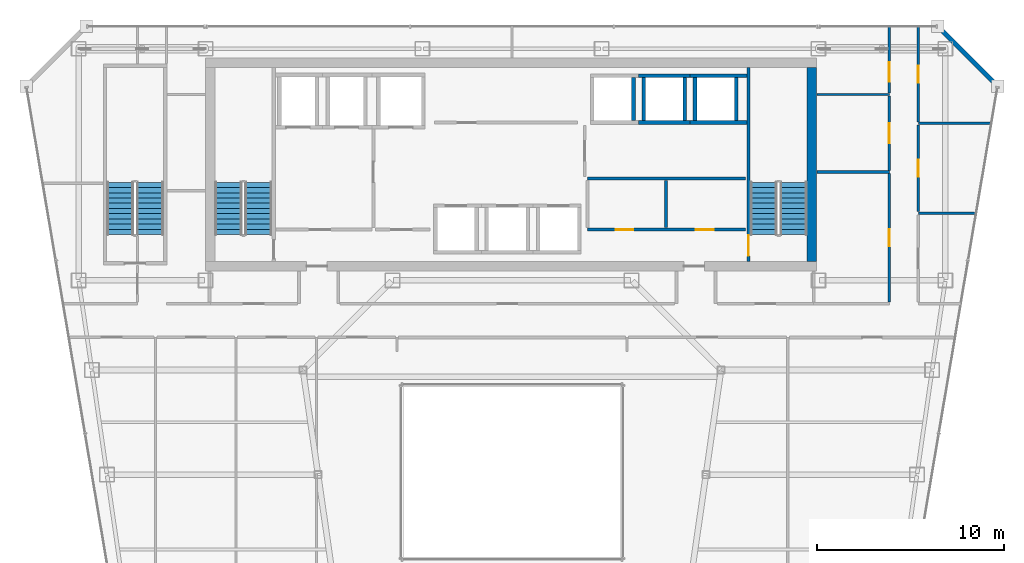
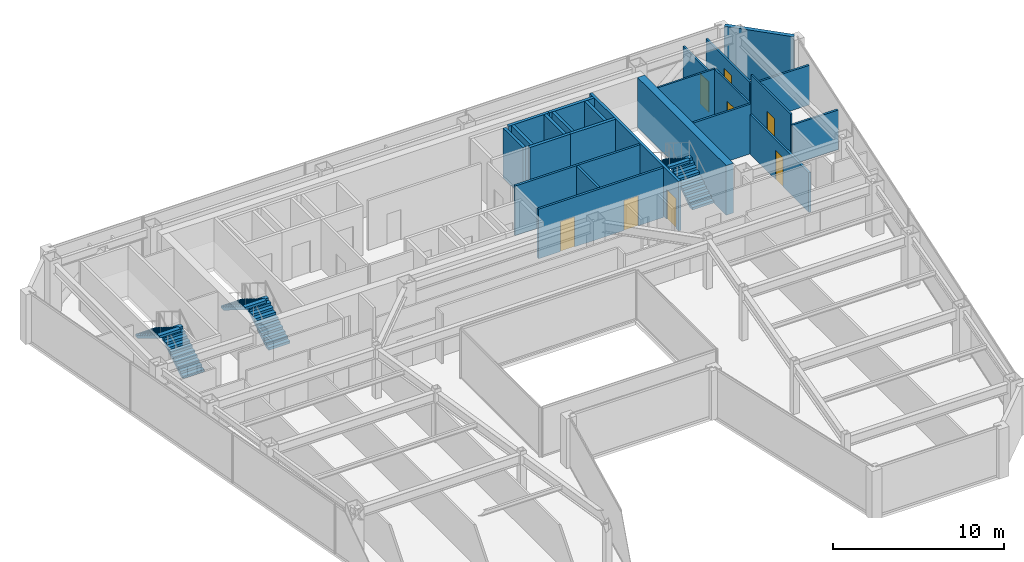
# One storey, part 32 of 35: 24 walls, 8 doors, 6 stair flights, 8 openings, 3 elements without a shape of their own.
"""IFC4 building model written with IfcOpenShell, lengths in metres."""

import ifcopenshell
import ifcopenshell.guid

model = None  # the IFC model being written
_history = None  # IfcOwnerHistory: only IFC2X3 demands one
_inside = {}  # id of a spatial element -> (the spatial element, [elements in it])
_under = {}  # id of a project, library or spatial element -> (it, [spatial elements below it])
_declared = {}  # id of a project -> (the project, [libraries it declares])
_typed = {}  # id of a type object -> (the type object, [elements of that type])
_made_of = {}  # id of a material, layer set ... -> (it, [elements and type objects made of it])


def new_model(schema):
    """Start an empty IFC model of exactly this schema.

    Asked for "IFC4X3", IfcOpenShell would pick the latest addendum, in which some entities
    have other attributes; the version numbers below select the first issue.
    IFC2X3 requires an IfcOwnerHistory on every rooted entity: one is made here for all.
    """
    global model, _history
    if schema == "IFC4X3":
        model = ifcopenshell.file(schema_version=(4, 3, 0, 0))
    else:
        model = ifcopenshell.file(schema=schema)
    _inside.clear()
    _under.clear()
    _declared.clear()
    _typed.clear()
    _made_of.clear()
    _history = None
    if model.schema == "IFC2X3":
        org = make("IfcOrganization", Name="unknown")
        user = make(
            "IfcPersonAndOrganization",
            ThePerson=make("IfcPerson", FamilyName="unknown"),
            TheOrganization=org,
        )
        app = make(
            "IfcApplication",
            ApplicationDeveloper=org,
            Version="unknown",
            ApplicationFullName="unknown",
            ApplicationIdentifier="unknown",
        )
        _history = make(
            "IfcOwnerHistory",
            OwningUser=user,
            OwningApplication=app,
            ChangeAction="ADDED",
            CreationDate=0,
        )
    return model


def make(cls, **values):
    """One entity of the class cls with the attributes given. An attribute that is None is left unset."""
    return model.create_entity(
        cls, **{name: value for name, value in values.items() if value is not None}
    )


def rooted(cls, **values):
    """An entity with a GlobalId (a new one), such as an element, a storey or a relation."""
    return make(cls, GlobalId=ifcopenshell.guid.new(), OwnerHistory=_history, **values)


def si_unit(unit_type, name, prefix=None):
    """IfcSIUnit, for example si_unit("LENGTHUNIT", "METRE", prefix="MILLI")."""
    return make("IfcSIUnit", UnitType=unit_type, Prefix=prefix, Name=name)


def assignment(units):
    """IfcUnitAssignment: the units of a project."""
    return None if units is None else make("IfcUnitAssignment", Units=units)


def point(xyz):
    """IfcCartesianPoint."""
    return None if xyz is None else make("IfcCartesianPoint", Coordinates=xyz)


def direction(xyz):
    """IfcDirection."""
    return None if xyz is None else make("IfcDirection", DirectionRatios=xyz)


def frame(location, z_axis=None, x_axis=None):
    """IfcAxis2Placement3D, a coordinate frame: its origin and axes. An axis left out is left unset."""
    return make(
        "IfcAxis2Placement3D",
        Location=point(location),
        Axis=direction(z_axis),
        RefDirection=direction(x_axis),
    )


def frame_2d(location, x_axis=None):
    """IfcAxis2Placement2D, a coordinate frame in the plane: its origin and x axis."""
    return make(
        "IfcAxis2Placement2D", Location=point(location), RefDirection=direction(x_axis)
    )


def origin():
    """The frame at (0, 0, 0) with its axes left unset."""
    return frame((0.0, 0.0, 0.0))


def place(relative_to, where):
    """IfcLocalPlacement: puts the frame where relative to a parent placement (None: the world)."""
    return make(
        "IfcLocalPlacement", PlacementRelTo=relative_to, RelativePlacement=where
    )


def context(
    kind, dimensions, precision=None, world=None, true_north=None, identifier=None
):
    """IfcGeometricRepresentationContext, for example the 3D "Model" context."""
    return make(
        "IfcGeometricRepresentationContext",
        ContextIdentifier=identifier,
        ContextType=kind,
        CoordinateSpaceDimension=dimensions,
        Precision=precision,
        WorldCoordinateSystem=world,
        TrueNorth=true_north,
    )


def subcontext(parent, identifier, kind, view, scale=None):
    """IfcGeometricRepresentationSubContext, for example "Body" below "Model"."""
    return make(
        "IfcGeometricRepresentationSubContext",
        ContextIdentifier=identifier,
        ContextType=kind,
        ParentContext=parent,
        TargetScale=scale,
        TargetView=view,
    )


def project(units=None, contexts=None):
    """IfcProject with its units and contexts."""
    return rooted(
        "IfcProject",
        Name="project",
        RepresentationContexts=contexts,
        UnitsInContext=assignment(units),
    )


def spatial(cls, under=None, at=None, **own):
    """A site, building, storey or space (cls), placed at a placement, below another one or the project."""
    s = rooted(cls, ObjectPlacement=at, **own)
    if under is not None:
        _under.setdefault(under.id(), (under, []))[1].append(s)
    return s


def polyline(points):
    """IfcPolyline through the points."""
    return make("IfcPolyline", Points=[point(p) for p in points])


def profile(cls, at=None, kind="AREA", **sizes):
    """A parametric profile (cls). Its sizes go by their IFC names, for example OverallWidth=200.0."""
    return make(cls, ProfileType=kind, Position=at, **sizes)


def rectangle(**sizes):
    """IfcRectangleProfileDef."""
    return profile("IfcRectangleProfileDef", **sizes)


def outline(outer, holes=None, kind="AREA"):
    """IfcArbitraryClosedProfileDef: a profile drawn as a closed curve; with holes, ...WithVoids."""
    if holes is None:
        return make("IfcArbitraryClosedProfileDef", ProfileType=kind, OuterCurve=outer)
    return make(
        "IfcArbitraryProfileDefWithVoids",
        ProfileType=kind,
        OuterCurve=outer,
        InnerCurves=holes,
    )


def extrude(swept, where, along, depth):
    """IfcExtrudedAreaSolid: the profile swept, set in the frame where, extruded along a direction by depth."""
    return make(
        "IfcExtrudedAreaSolid",
        SweptArea=swept,
        Position=where,
        ExtrudedDirection=direction(along),
        Depth=depth,
    )


def shape(context_of_items, identifier, shape_type, items):
    """IfcShapeRepresentation: the items that make up one representation, for example the "Body"."""
    return make(
        "IfcShapeRepresentation",
        ContextOfItems=context_of_items,
        RepresentationIdentifier=identifier,
        RepresentationType=shape_type,
        Items=items,
    )


def material(Name=None, Category=None):
    """IfcMaterial."""
    return make("IfcMaterial", Name=Name, Category=Category)


def layer(
    of_material, thickness, ventilated=None, Name=None, Category=None, Priority=None
):
    """IfcMaterialLayer: one layer of a wall or slab, of a material (None: an air gap)."""
    return make(
        "IfcMaterialLayer",
        Material=of_material,
        LayerThickness=thickness,
        IsVentilated=ventilated,
        Name=Name,
        Category=Category,
        Priority=Priority,
    )


def layer_set(layers, Name=None):
    """IfcMaterialLayerSet."""
    return make("IfcMaterialLayerSet", MaterialLayers=layers, LayerSetName=Name)


def made_of(thing, what):
    """Note that an element or type object is made of a material, layer set ...; save() writes the relation."""
    if what is not None:
        _made_of.setdefault(what.id(), (what, []))[1].append(thing)
    return thing


def type_object(cls, material=None, **own):
    """A type object (cls), such as IfcWallType, which elements share."""
    return made_of(rooted(cls, **own), material)


def element(
    cls,
    number,
    at=None,
    inside=None,
    cuts=None,
    type_object=None,
    material=None,
    context=None,
    identifier="Body",
    shape_type=None,
    held_by="IfcProductDefinitionShape",
    body=None,
    shapes=None,
    **own,
):
    """One element of the class cls, such as IfcWall. Its Tag is "e" and its number.

    at: its placement. inside: the storey or other place that contains it. cuts: it is an
    opening in that element (IfcRelVoidsElement). A single representation is given by context,
    identifier, shape_type and body (its items); several are given by shapes. held_by: the class
    of the entity that holds the representations. save() writes the other relations.
    """
    e = rooted(cls, Tag="e%d" % number, ObjectPlacement=at, **own)
    if body is not None:
        shapes = [shape(context, identifier, shape_type, body)]
    if shapes is not None:
        e.Representation = make(held_by, Representations=shapes)
    if inside is not None:
        _inside.setdefault(inside.id(), (inside, []))[1].append(e)
    if cuts is not None:
        rooted(
            "IfcRelVoidsElement", RelatingBuildingElement=cuts, RelatedOpeningElement=e
        )
    if type_object is not None:
        _typed.setdefault(type_object.id(), (type_object, []))[1].append(e)
    return made_of(e, material)


def fill(opening, filler):
    """IfcRelFillsElement: the door or window that sits in an opening."""
    return rooted(
        "IfcRelFillsElement",
        RelatingOpeningElement=opening,
        RelatedBuildingElement=filler,
    )


def aggregate(whole, parts):
    """IfcRelAggregates: a whole, such as a stair, and the parts it consists of."""
    return rooted("IfcRelAggregates", RelatingObject=whole, RelatedObjects=parts)


def save(model, path):
    """Write the relations noted so far, then the file.

    IfcRelAggregates (storeys below a building ...), IfcRelContainedInSpatialStructure (elements
    in a storey), IfcRelDefinesByType, IfcRelAssociatesMaterial and IfcRelDeclares: one each for
    every whole, place, type object, material and project.
    """
    for whole, parts in _under.values():
        aggregate(whole, parts)
    for where, things in _inside.values():
        rooted(
            "IfcRelContainedInSpatialStructure",
            RelatedElements=things,
            RelatingStructure=where,
        )
    for kind, things in _typed.values():
        rooted("IfcRelDefinesByType", RelatedObjects=things, RelatingType=kind)
    for what, things in _made_of.values():
        rooted("IfcRelAssociatesMaterial", RelatedObjects=things, RelatingMaterial=what)
    for by, libraries in _declared.values():
        rooted("IfcRelDeclares", RelatingContext=by, RelatedDefinitions=libraries)
    model.write(path)


model = new_model("IFC4")

# Units and contexts
model_context = context("Model", 3, precision=1e-05, world=origin(), true_north=direction((0.0, 1.0)))
body_context = subcontext(model_context, "Body", "Model", "MODEL_VIEW")
ifc_project = project(units=[si_unit("LENGTHUNIT", "METRE"), si_unit("AREAUNIT", "SQUARE_METRE"), si_unit("VOLUMEUNIT", "CUBIC_METRE"), si_unit("PLANEANGLEUNIT", "RADIAN"), si_unit("MASSUNIT", "GRAM", prefix="KILO")], contexts=[model_context])

# Site, building, storey
site_placement = place(None, origin())
site = spatial("IfcSite", under=ifc_project, at=site_placement, CompositionType="ELEMENT")
building_placement = place(site_placement, origin())
building = spatial("IfcBuilding", under=site, at=building_placement, Name="Saevonmaru Cultural Tower", CompositionType="ELEMENT")
storey_placement = place(building_placement, frame((0.0, 0.0, 190.39990234375)))
storey = spatial("IfcBuildingStorey", under=building, at=storey_placement, Name="L43", CompositionType="ELEMENT", Elevation=190.39990234375)

# Wall
ifc_material_1 = material(Name="Concrete C60/75", Category="concrete")
ifc_layer_1 = layer(ifc_material_1, 0.5, Name="Concrete C60/75")
ifc_layer_set_1 = layer_set([ifc_layer_1], Name="Concrete C60/75")
wall_type_1 = type_object("IfcWallType", Name="WL-CORE-500", PredefinedType="SHEAR", material=ifc_layer_set_1)
wall_1_placement = place(storey_placement, frame((46.050048828125, 43.39990234375, 0.0), z_axis=(0.0, 0.0, 1.0), x_axis=(0.0, 1.0, 0.0)))
element("IfcWall", 1, at=wall_1_placement, inside=storey, type_object=wall_type_1, Name="L43 Tower RC core shear wall E", PredefinedType="SHEAR", context=body_context, shape_type="SweptSolid", body=[
    extrude(rectangle(XDim=10.400146484375, YDim=0.5, at=frame_2d((5.2001953125, 0.0))), origin(), (0.0, 0.0, 1.0), 3.550048828125),
])

# Wall, openings, doors
ifc_material_2 = material(Name="Gypsum Fireboard Partition", Category="gypsum")
ifc_layer_2 = layer(ifc_material_2, 0.14990234375, Name="Gypsum Fireboard Partition")
ifc_layer_set_2 = layer_set([ifc_layer_2], Name="Gypsum Fireboard Partition")
wall_type_2 = type_object("IfcWallType", Name="WL-CORE-PART-150", PredefinedType="PARTITIONING", material=ifc_layer_set_2)
wall_2_placement = place(storey_placement, frame((34.050048828125, 45.1201171875, 0.0), z_axis=(0.0, 0.0, 1.0), x_axis=(1.0, 0.0, 0.0)))
wall_2 = element("IfcWall", 2, at=wall_2_placement, inside=storey, type_object=wall_type_2, Name="L43 Core Plant South Wall", PredefinedType="PARTITIONING", context=body_context, shape_type="SweptSolid", body=[
    extrude(rectangle(XDim=8.449951171875, YDim=0.14990234375, at=frame_2d((4.22509765625, 0.0))), origin(), (0.0, 0.0, 1.0), 3.550048828125),
])
opening_1_placement = place(wall_2_placement, frame((1.5, 0.0, 0.0)))
opening_1 = element("IfcOpeningElement", 3, at=opening_1_placement, cuts=wall_2, Name="Opening FD-4", PredefinedType="OPENING", context=body_context, shape_type="SweptSolid", body=[
    extrude(rectangle(XDim=0.949951171875, YDim=2.14990234375, at=frame_2d((0.47509765625, 1.074951171875))), frame((0.0, 0.0849609375, 0.0), z_axis=(0.0, -1.0, 0.0), x_axis=(1.0, 0.0, 0.0)), (0.0, 0.0, 1.0), 0.169921875),
])
opening_2_placement = place(wall_2_placement, frame((5.800048828125, 0.0, 0.0)))
opening_2 = element("IfcOpeningElement", 4, at=opening_2_placement, cuts=wall_2, Name="Opening FD-4", PredefinedType="OPENING", context=body_context, shape_type="SweptSolid", body=[
    extrude(rectangle(XDim=0.949951171875, YDim=2.14990234375, at=frame_2d((0.47509765625, 1.074951171875))), frame((0.0, 0.0849609375, 0.0), z_axis=(0.0, -1.0, 0.0), x_axis=(1.0, 0.0, 0.0)), (0.0, 0.0, 1.0), 0.169921875),
])
ifc_material_3 = material(Name="Satin Bronze Anodised Aluminium", Category="aluminium")
door_type_1 = type_object("IfcDoorType", Name="DR-FD60-950", OperationType="SINGLE_SWING_LEFT", PredefinedType="DOOR", material=ifc_material_3)
door_1_placement = place(opening_1_placement, origin())
door_1 = element("IfcDoor", 5, at=door_1_placement, inside=storey, type_object=door_type_1, Name="L43 Floor AHU Plant Door", OperationType="SINGLE_SWING_LEFT", OverallHeight=2.14990234375, OverallWidth=0.949951171875, PredefinedType="DOOR", context=body_context, shape_type="SweptSolid", body=[
    extrude(rectangle(XDim=0.949951171875, YDim=2.14990234375, at=frame_2d((0.47509765625, 1.074951171875))), frame((0.0, 0.02490234375, 0.0), z_axis=(0.0, -1.0, 0.0), x_axis=(1.0, 0.0, 0.0)), (0.0, 0.0, 1.0), 0.050048828125),
])
fill(opening_1, door_1)
door_2_placement = place(opening_2_placement, origin())
door_2 = element("IfcDoor", 6, at=door_2_placement, inside=storey, type_object=door_type_1, Name="L43 Housekeeping Storage Door", OperationType="SINGLE_SWING_LEFT", OverallHeight=2.14990234375, OverallWidth=0.949951171875, PredefinedType="DOOR", context=body_context, shape_type="SweptSolid", body=[
    extrude(rectangle(XDim=0.949951171875, YDim=2.14990234375, at=frame_2d((0.47509765625, 1.074951171875))), frame((0.0, 0.02490234375, 0.0), z_axis=(0.0, -1.0, 0.0), x_axis=(1.0, 0.0, 0.0)), (0.0, 0.0, 1.0), 0.050048828125),
])
fill(opening_2, door_2)

# Walls
wall_3_placement = place(storey_placement, frame((34.050048828125, 47.85009765625, 0.0), z_axis=(0.0, 0.0, 1.0), x_axis=(1.0, 0.0, 0.0)))
element("IfcWall", 7, at=wall_3_placement, inside=storey, type_object=wall_type_2, Name="L43 Core Plant North Wall", PredefinedType="PARTITIONING", context=body_context, shape_type="SweptSolid", body=[
    extrude(rectangle(XDim=8.449951171875, YDim=0.14990234375, at=frame_2d((4.22509765625, 0.0))), origin(), (0.0, 0.0, 1.0), 3.550048828125),
])
wall_4_placement = place(storey_placement, frame((38.25, 45.219970703125, 0.0), z_axis=(0.0, 0.0, 1.0), x_axis=(0.0, 1.0, 0.0)))
element("IfcWall", 8, at=wall_4_placement, inside=storey, type_object=wall_type_2, Name="L43 Core Plant Split", PredefinedType="PARTITIONING", context=body_context, shape_type="SweptSolid", body=[
    extrude(rectangle(XDim=2.530029296875, YDim=0.14990234375, at=frame_2d((1.26513671875, 0.0))), origin(), (0.0, 0.0, 1.0), 3.550048828125),
])
ifc_material_4 = material(Name="Granite-Clad Precast Concrete C40/50", Category="masonry")
ifc_layer_3 = layer(ifc_material_4, 0.260009765625, Name="Granite-Clad Precast Concrete C40/50")
ifc_layer_set_3 = layer_set([ifc_layer_3], Name="Granite-Clad Precast Concrete C40/50")
wall_type_3 = type_object("IfcWallType", Name="WL-EXT-SPANDREL-260", PredefinedType="STANDARD", material=ifc_layer_set_3)
wall_5_placement = place(storey_placement, frame((55.886962890625, 52.9130859375, 0.0), z_axis=(0.0, 0.0, 1.0), x_axis=(-0.707106781187, 0.707106781187, 0.0)))
element("IfcWall", 9, at=wall_5_placement, inside=storey, type_object=wall_type_3, Name="L43 Chamfer Corner Spandrel Wall E9", PredefinedType="STANDARD", context=body_context, shape_type="SweptSolid", body=[
    extrude(rectangle(XDim=4.205810546875, YDim=0.260009765625, at=frame_2d((2.10302734375, 0.0))), origin(), (0.0, 0.0, 1.0), 3.550048828125),
])
ifc_layer_4 = layer(ifc_material_2, 0.1201171875, Name="Gypsum Fireboard Partition")
ifc_layer_set_4 = layer_set([ifc_layer_4], Name="Gypsum Fireboard Partition")
wall_type_4 = type_object("IfcWallType", Name="WL-PART-GYP-120", PredefinedType="PARTITIONING", material=ifc_layer_set_4)
wall_6_placement = place(storey_placement, frame((46.320068359375, 52.35009765625, 0.0), z_axis=(0.0, 0.0, 1.0), x_axis=(1.0, 0.0, 0.0)))
element("IfcWall", 10, at=wall_6_placement, inside=storey, type_object=wall_type_4, Name="L43 North-East Panorama South Wall", PredefinedType="PARTITIONING", context=body_context, shape_type="SweptSolid", body=[
    extrude(rectangle(XDim=3.8798828125, YDim=0.1201171875, at=frame_2d((1.93994140625, 0.0))), origin(), (0.0, 0.0, 1.0), 3.550048828125),
])

# Wall, opening, door
wall_7_placement = place(storey_placement, frame((50.199951171875, 48.2900390625, 0.0), z_axis=(0.0, 0.0, 1.0), x_axis=(0.0, 1.0, 0.0)))
wall_7 = element("IfcWall", 11, at=wall_7_placement, inside=storey, type_object=wall_type_4, Name="L43 Rare Manuscript Reading Room Corridor Wall", PredefinedType="PARTITIONING", context=body_context, shape_type="SweptSolid", body=[
    extrude(rectangle(XDim=3.97998046875, YDim=0.1201171875, at=frame_2d((1.989990234375, 0.0))), origin(), (0.0, 0.0, 1.0), 3.550048828125),
])
opening_3_placement = place(wall_7_placement, frame((1.465087890625, 0.0, 0.0)))
opening_3 = element("IfcOpeningElement", 12, at=opening_3_placement, cuts=wall_7, Name="Opening ID-1", PredefinedType="OPENING", context=body_context, shape_type="SweptSolid", body=[
    extrude(rectangle(XDim=1.050048828125, YDim=2.14990234375, at=frame_2d((0.52490234375, 1.074951171875))), frame((0.0, 0.070068359375, 0.0), z_axis=(0.0, -1.0, 0.0), x_axis=(1.0, 0.0, 0.0)), (0.0, 0.0, 1.0), 0.14013671875),
])
door_type_2 = type_object("IfcDoorType", Name="DR-INT-1050", OperationType="SINGLE_SWING_LEFT", PredefinedType="DOOR", material=ifc_material_3)
door_3_placement = place(opening_3_placement, origin())
door_3 = element("IfcDoor", 13, at=door_3_placement, inside=storey, type_object=door_type_2, Name="L43 Rare Manuscript Reading Room Door", OperationType="SINGLE_SWING_LEFT", OverallHeight=2.14990234375, OverallWidth=1.050048828125, PredefinedType="DOOR", context=body_context, shape_type="SweptSolid", body=[
    extrude(rectangle(XDim=1.050048828125, YDim=2.14990234375, at=frame_2d((0.52490234375, 1.074951171875))), frame((0.0, 0.02490234375, 0.0), z_axis=(0.0, -1.0, 0.0), x_axis=(1.0, 0.0, 0.0)), (0.0, 0.0, 1.0), 0.050048828125),
])
fill(opening_3, door_3)

wall_8_placement = place(storey_placement, frame((50.199951171875, 52.429931640625, 0.0), z_axis=(0.0, 0.0, 1.0), x_axis=(0.0, 1.0, 0.0)))
wall_8 = element("IfcWall", 14, at=wall_8_placement, inside=storey, type_object=wall_type_4, Name="L43 Cartographic Study Library Corridor Wall", PredefinedType="PARTITIONING", context=body_context, shape_type="SweptSolid", body=[
    extrude(rectangle(XDim=3.565185546875, YDim=0.1201171875, at=frame_2d((1.78271484375, 0.0))), origin(), (0.0, 0.0, 1.0), 2.93505859375),
])
opening_4_placement = place(wall_8_placement, frame((0.596923828125, 0.0, 0.0)))
opening_4 = element("IfcOpeningElement", 15, at=opening_4_placement, cuts=wall_8, Name="Opening ID-1", PredefinedType="OPENING", context=body_context, shape_type="SweptSolid", body=[
    extrude(rectangle(XDim=1.050048828125, YDim=2.14990234375, at=frame_2d((0.52490234375, 1.074951171875))), frame((0.0, 0.070068359375, 0.0), z_axis=(0.0, -1.0, 0.0), x_axis=(1.0, 0.0, 0.0)), (0.0, 0.0, 1.0), 0.14013671875),
])
door_4_placement = place(opening_4_placement, origin())
door_4 = element("IfcDoor", 16, at=door_4_placement, inside=storey, type_object=door_type_2, Name="L43 Cartographic Study Library Door", OperationType="SINGLE_SWING_RIGHT", OverallHeight=2.14990234375, OverallWidth=1.050048828125, PredefinedType="DOOR", context=body_context, shape_type="SweptSolid", body=[
    extrude(rectangle(XDim=1.050048828125, YDim=2.14990234375, at=frame_2d((0.52490234375, 1.074951171875))), frame((0.0, 0.02490234375, 0.0), z_axis=(0.0, -1.0, 0.0), x_axis=(1.0, 0.0, 0.0)), (0.0, 0.0, 1.0), 0.050048828125),
])
fill(opening_4, door_4)

wall_9_placement = place(storey_placement, frame((51.75, 46.08740234375, 0.0), z_axis=(0.0, 0.0, 1.0), x_axis=(0.0, 1.0, 0.0)))
wall_9 = element("IfcWall", 17, at=wall_9_placement, inside=storey, type_object=wall_type_4, Name="L43 Scholarly Colloquium Meeting Room Corridor Wall", PredefinedType="PARTITIONING", context=body_context, shape_type="SweptSolid", body=[
    extrude(rectangle(XDim=4.625, YDim=0.1201171875, at=frame_2d((2.3125, 0.0))), origin(), (0.0, 0.0, 1.0), 3.550048828125),
])
opening_5_placement = place(wall_9_placement, frame((1.863037109375, 0.0, 0.0)))
opening_5 = element("IfcOpeningElement", 18, at=opening_5_placement, cuts=wall_9, Name="Opening ID-2", PredefinedType="OPENING", context=body_context, shape_type="SweptSolid", body=[
    extrude(rectangle(XDim=0.89990234375, YDim=2.10009765625, at=frame_2d((0.449951171875, 1.050048828125))), frame((0.0, 0.070068359375, 0.0), z_axis=(0.0, -1.0, 0.0), x_axis=(1.0, 0.0, 0.0)), (0.0, 0.0, 1.0), 0.14013671875),
])
ifc_material_5 = material(Name="Acoustic Stained Oak Timber", Category="wood")
door_type_3 = type_object("IfcDoorType", Name="DR-INT-900", OperationType="SINGLE_SWING_RIGHT", PredefinedType="DOOR", material=ifc_material_5)
door_5_placement = place(opening_5_placement, origin())
door_5 = element("IfcDoor", 19, at=door_5_placement, inside=storey, type_object=door_type_3, Name="L43 Scholarly Colloquium Meeting Room Door", OperationType="SINGLE_SWING_LEFT", OverallHeight=2.10009765625, OverallWidth=0.89990234375, PredefinedType="DOOR", context=body_context, shape_type="SweptSolid", body=[
    extrude(rectangle(XDim=0.89990234375, YDim=2.10009765625, at=frame_2d((0.449951171875, 1.050048828125))), frame((0.0, 0.02490234375, 0.0), z_axis=(0.0, -1.0, 0.0), x_axis=(1.0, 0.0, 0.0)), (0.0, 0.0, 1.0), 0.050048828125),
])
fill(opening_5, door_5)

wall_10_placement = place(storey_placement, frame((51.75, 50.887451171875, 0.0), z_axis=(0.0, 0.0, 1.0), x_axis=(0.0, 1.0, 0.0)))
wall_10 = element("IfcWall", 20, at=wall_10_placement, inside=storey, type_object=wall_type_4, Name="L43 Digital Humanities Office Corridor Wall", PredefinedType="PARTITIONING", context=body_context, shape_type="SweptSolid", body=[
    extrude(rectangle(XDim=5.107666015625, YDim=0.1201171875, at=frame_2d((2.5537109375, 0.0))), origin(), (0.0, 0.0, 1.0), 2.93505859375),
])
opening_6_placement = place(wall_10_placement, frame((2.10400390625, 0.0, 0.0)))
opening_6 = element("IfcOpeningElement", 21, at=opening_6_placement, cuts=wall_10, Name="Opening ID-2", PredefinedType="OPENING", context=body_context, shape_type="SweptSolid", body=[
    extrude(rectangle(XDim=0.89990234375, YDim=2.10009765625, at=frame_2d((0.449951171875, 1.050048828125))), frame((0.0, 0.070068359375, 0.0), z_axis=(0.0, -1.0, 0.0), x_axis=(1.0, 0.0, 0.0)), (0.0, 0.0, 1.0), 0.14013671875),
])
door_6_placement = place(opening_6_placement, origin())
door_6 = element("IfcDoor", 22, at=door_6_placement, inside=storey, type_object=door_type_3, Name="L43 Digital Humanities Office Door", OperationType="SINGLE_SWING_RIGHT", OverallHeight=2.10009765625, OverallWidth=0.89990234375, PredefinedType="DOOR", context=body_context, shape_type="SweptSolid", body=[
    extrude(rectangle(XDim=0.89990234375, YDim=2.10009765625, at=frame_2d((0.449951171875, 1.050048828125))), frame((0.0, 0.02490234375, 0.0), z_axis=(0.0, -1.0, 0.0), x_axis=(1.0, 0.0, 0.0)), (0.0, 0.0, 1.0), 0.050048828125),
])
fill(opening_6, door_6)

# Walls
ifc_layer_5 = layer(ifc_material_2, 0.135009765625, Name="Gypsum Fireboard Partition")
ifc_layer_set_5 = layer_set([ifc_layer_5], Name="Gypsum Fireboard Partition")
wall_type_5 = type_object("IfcWallType", Name="WL-PART-GYP-135", PredefinedType="PARTITIONING", material=ifc_layer_set_5)
wall_11_placement = place(storey_placement, frame((51.75, 46.0, 0.0), z_axis=(0.0, 0.0, 1.0), x_axis=(1.0, 0.0, 0.0)))
element("IfcWall", 23, at=wall_11_placement, inside=storey, type_object=wall_type_5, Name="L43 NE Studio Divider 1", PredefinedType="PARTITIONING", context=body_context, shape_type="SweptSolid", body=[
    extrude(rectangle(XDim=3.09375, YDim=0.135009765625, at=frame_2d((1.546875, 0.0))), origin(), (0.0, 0.0, 1.0), 2.835205078125),
])
wall_12_placement = place(storey_placement, frame((51.75, 50.800048828125, 0.0), z_axis=(0.0, 0.0, 1.0), x_axis=(1.0, 0.0, 0.0)))
element("IfcWall", 24, at=wall_12_placement, inside=storey, type_object=wall_type_5, Name="L43 NE Studio Divider 2", PredefinedType="PARTITIONING", context=body_context, shape_type="SweptSolid", body=[
    extrude(rectangle(XDim=3.90625, YDim=0.135009765625, at=frame_2d((1.953125, 0.0))), origin(), (0.0, 0.0, 1.0), 2.835205078125),
])
ifc_layer_6 = layer(ifc_material_2, 0.139892578125, Name="Gypsum Fireboard Partition")
ifc_layer_set_6 = layer_set([ifc_layer_6], Name="Gypsum Fireboard Partition")
wall_type_6 = type_object("IfcWallType", Name="WL-PART-WET-140", PredefinedType="PARTITIONING", material=ifc_layer_set_6)
wall_13_placement = place(storey_placement, frame((46.320068359375, 48.199951171875, 0.0), z_axis=(0.0, 0.0, 1.0), x_axis=(1.0, 0.0, 0.0)))
element("IfcWall", 25, at=wall_13_placement, inside=storey, type_object=wall_type_6, Name="L43 Washroom North Wall", PredefinedType="PARTITIONING", context=body_context, shape_type="SweptSolid", body=[
    extrude(rectangle(XDim=3.8798828125, YDim=0.139892578125, at=frame_2d((1.93994140625, 0.0))), origin(), (0.0, 0.0, 1.0), 3.550048828125),
])

# Wall, opening, door
wall_14_placement = place(storey_placement, frame((50.199951171875, 41.239990234375, 0.0), z_axis=(0.0, 0.0, 1.0), x_axis=(0.0, 1.0, 0.0)))
wall_14 = element("IfcWall", 26, at=wall_14_placement, inside=storey, type_object=wall_type_6, Name="L43 Washroom Corridor Wall", PredefinedType="PARTITIONING", context=body_context, shape_type="SweptSolid", body=[
    extrude(rectangle(XDim=6.8701171875, YDim=0.139892578125, at=frame_2d((3.43505859375, 0.0))), origin(), (0.0, 0.0, 1.0), 2.835205078125),
])
opening_7_placement = place(wall_14_placement, frame((2.985107421875, 0.0, 0.0)))
opening_7 = element("IfcOpeningElement", 27, at=opening_7_placement, cuts=wall_14, Name="Opening ID-2", PredefinedType="OPENING", context=body_context, shape_type="SweptSolid", body=[
    extrude(rectangle(XDim=0.89990234375, YDim=2.10009765625, at=frame_2d((0.449951171875, 1.050048828125))), frame((0.0, 0.080078125, 0.0), z_axis=(0.0, -1.0, 0.0), x_axis=(1.0, 0.0, 0.0)), (0.0, 0.0, 1.0), 0.159912109375),
])
door_7_placement = place(opening_7_placement, origin())
door_7 = element("IfcDoor", 28, at=door_7_placement, inside=storey, type_object=door_type_3, Name="L43 Public Accessible Washrooms Door", OperationType="SINGLE_SWING_RIGHT", OverallHeight=2.10009765625, OverallWidth=0.89990234375, PredefinedType="DOOR", context=body_context, shape_type="SweptSolid", body=[
    extrude(rectangle(XDim=0.89990234375, YDim=2.10009765625, at=frame_2d((0.449951171875, 1.050048828125))), frame((0.0, 0.02490234375, 0.0), z_axis=(0.0, -1.0, 0.0), x_axis=(1.0, 0.0, 0.0)), (0.0, 0.0, 1.0), 0.050048828125),
])
fill(opening_7, door_7)

# Walls
ifc_material_6 = material(Name="Concrete C40/50", Category="concrete")
ifc_layer_7 = layer(ifc_material_6, 0.199951171875, Name="Concrete C40/50")
ifc_layer_set_7 = layer_set([ifc_layer_7], Name="Concrete C40/50")
wall_type_7 = type_object("IfcWallType", Name="WL-SHAFT-200", PredefinedType="SHEAR", material=ifc_layer_set_7)
wall_15_placement = place(storey_placement, frame((36.5, 50.949951171875, 0.0), z_axis=(0.0, 0.0, 1.0), x_axis=(0.0, 1.0, 0.0)))
element("IfcWall", 29, at=wall_15_placement, inside=storey, type_object=wall_type_7, Name="L43 Lift PL-H1 Hoistway Wall E", PredefinedType="SHEAR", context=body_context, shape_type="SweptSolid", body=[
    extrude(rectangle(XDim=2.300048828125, YDim=0.199951171875, at=frame_2d((1.14990234375, 0.0))), origin(), (0.0, 0.0, 1.0), 3.550048828125),
])
for number, where, z_axis, x_axis, name in (
    (30, (36.77490234375, 50.85009765625, 0.0), (0.0, 0.0, 1.0), (1.0, 0.0, 0.0), "L43 Lift PL-H2 Hoistway Wall S"),
    (31, (36.77490234375, 53.35009765625, 0.0), (0.0, 0.0, 1.0), (1.0, 0.0, 0.0), "L43 Lift PL-H2 Hoistway Wall N"),
):
    element("IfcWall", number, at=place(storey_placement, frame(where, z_axis=z_axis, x_axis=x_axis)), inside=storey, type_object=wall_type_7, Name=name, PredefinedType="SHEAR", context=body_context, shape_type="SweptSolid", body=[
        extrude(rectangle(XDim=2.75, YDim=0.199951171875, at=frame_2d((1.375, 0.0))), origin(), (0.0, 0.0, 1.0), 3.550048828125),
    ])
for number, where, z_axis, x_axis, name in (
    (32, (37.050048828125, 50.949951171875, 0.0), (0.0, 0.0, 1.0), (0.0, 1.0, 0.0), "L43 Lift PL-H2 Hoistway Wall W"),
    (33, (39.25, 50.949951171875, 0.0), (0.0, 0.0, 1.0), (0.0, 1.0, 0.0), "L43 Lift PL-H2 Hoistway Wall E"),
):
    element("IfcWall", number, at=place(storey_placement, frame(where, z_axis=z_axis, x_axis=x_axis)), inside=storey, type_object=wall_type_7, Name=name, PredefinedType="SHEAR", context=body_context, shape_type="SweptSolid", body=[
        extrude(rectangle(XDim=2.300048828125, YDim=0.199951171875, at=frame_2d((1.14990234375, 0.0))), origin(), (0.0, 0.0, 1.0), 3.550048828125),
    ])
for number, where, z_axis, x_axis, name in (
    (34, (39.52490234375, 50.85009765625, 0.0), (0.0, 0.0, 1.0), (1.0, 0.0, 0.0), "L43 Lift PL-H3 Hoistway Wall S"),
    (35, (39.52490234375, 53.35009765625, 0.0), (0.0, 0.0, 1.0), (1.0, 0.0, 0.0), "L43 Lift PL-H3 Hoistway Wall N"),
):
    element("IfcWall", number, at=place(storey_placement, frame(where, z_axis=z_axis, x_axis=x_axis)), inside=storey, type_object=wall_type_7, Name=name, PredefinedType="SHEAR", context=body_context, shape_type="SweptSolid", body=[
        extrude(rectangle(XDim=3.045166015625, YDim=0.199951171875, at=frame_2d((1.5224609375, 0.0))), origin(), (0.0, 0.0, 1.0), 3.550048828125),
    ])
for number, where, z_axis, x_axis, name in (
    (36, (39.800048828125, 50.949951171875, 0.0), (0.0, 0.0, 1.0), (0.0, 1.0, 0.0), "L43 Lift PL-H3 Hoistway Wall W"),
    (37, (42.0, 50.949951171875, 0.0), (0.0, 0.0, 1.0), (0.0, 1.0, 0.0), "L43 Lift PL-H3 Hoistway Wall E"),
):
    element("IfcWall", number, at=place(storey_placement, frame(where, z_axis=z_axis, x_axis=x_axis)), inside=storey, type_object=wall_type_7, Name=name, PredefinedType="SHEAR", context=body_context, shape_type="SweptSolid", body=[
        extrude(rectangle(XDim=2.300048828125, YDim=0.199951171875, at=frame_2d((1.14990234375, 0.0))), origin(), (0.0, 0.0, 1.0), 3.550048828125),
    ])

# Wall, opening, door
ifc_layer_8 = layer(ifc_material_6, 0.179931640625, Name="Concrete C40/50")
ifc_layer_set_8 = layer_set([ifc_layer_8], Name="Concrete C40/50")
wall_type_8 = type_object("IfcWallType", Name="WL-STSHAFT-180", PredefinedType="SHEAR", material=ifc_layer_set_8)
wall_16_placement = place(storey_placement, frame((42.659912109375, 53.800048828125, 0.0), z_axis=(0.0, 0.0, 1.0), x_axis=(0.0, -1.0, 0.0)))
wall_16 = element("IfcWall", 38, at=wall_16_placement, inside=storey, type_object=wall_type_8, Name="L43 Stair ST-2 Structural Shaft Wall 1", PredefinedType="SHEAR", context=body_context, shape_type="SweptSolid", body=[
    extrude(rectangle(XDim=10.400146484375, YDim=0.179931640625, at=frame_2d((5.2001953125, 0.0))), origin(), (0.0, 0.0, 1.0), 3.550048828125),
])
opening_8_placement = place(wall_16_placement, frame((8.989990234375, 0.0, 0.0)))
opening_8 = element("IfcOpeningElement", 39, at=opening_8_placement, cuts=wall_16, Name="Opening FD-2", PredefinedType="OPENING", context=body_context, shape_type="SweptSolid", body=[
    extrude(rectangle(XDim=1.10009765625, YDim=2.14990234375, at=frame_2d((0.550048828125, 1.074951171875))), frame((0.0, 0.10009765625, 0.0), z_axis=(0.0, -1.0, 0.0), x_axis=(1.0, 0.0, 0.0)), (0.0, 0.0, 1.0), 0.199951171875),
])
door_type_4 = type_object("IfcDoorType", Name="DR-FD60-1100", OperationType="SINGLE_SWING_LEFT", PredefinedType="DOOR", material=ifc_material_3)
door_8_placement = place(opening_8_placement, origin())
door_8 = element("IfcDoor", 40, at=door_8_placement, inside=storey, type_object=door_type_4, Name="L43 Protected Stair ST-2 Fire Door", OperationType="SINGLE_SWING_LEFT", OverallHeight=2.14990234375, OverallWidth=1.10009765625, PredefinedType="DOOR", context=body_context, shape_type="SweptSolid", body=[
    extrude(rectangle(XDim=1.10009765625, YDim=2.14990234375, at=frame_2d((0.550048828125, 1.074951171875))), frame((0.0, 0.02490234375, 0.0), z_axis=(0.0, -1.0, 0.0), x_axis=(1.0, 0.0, 0.0)), (0.0, 0.0, 1.0), 0.050048828125),
])
fill(opening_8, door_8)

# Stair, stair flights
stair_type = type_object("IfcStairType", Name="STR-DOGLEG-RC", PredefinedType="HALF_TURN_STAIR", material=ifc_material_6)
stair_1_placement = place(storey_placement, origin())
stair_1 = element("IfcStair", 41, at=stair_1_placement, inside=storey, type_object=stair_type, Name="L43 Protected exit stair ST-1", PredefinedType="HALF_TURN_STAIR")
ifc_material_7 = material(Name="Precast concrete C40/50", Category="concrete")
stair_flight_type = type_object("IfcStairFlightType", Name="STF-PRECAST-180", PredefinedType="STRAIGHT", material=ifc_material_7)
stair_flight_1_placement = place(storey_placement, frame((16.425048828125, 44.85009765625, 0.0), z_axis=(0.0, 0.0, 1.0), x_axis=(0.0, 1.0, 0.0)))
stair_flight_1 = element("IfcStairFlight", 42, at=stair_flight_1_placement, type_object=stair_flight_type, Name="ST-1-L43 flight 1", NumberOfRisers=11, NumberOfTreads=10, PredefinedType="STRAIGHT", RiserHeight=0.172727273, TreadLength=0.28, context=body_context, shape_type="SweptSolid", body=[
    extrude(outline(polyline([(0.0, 0.0), (0.0, 0.172607421875), (0.280029296875, 0.172607421875), (0.280029296875, 0.345458984375), (0.56005859375, 0.345458984375), (0.56005859375, 0.51806640625), (0.840087890625, 0.51806640625), (0.840087890625, 0.69091796875), (1.1201171875, 0.69091796875), (1.1201171875, 0.863525390625), (1.39990234375, 0.863525390625), (1.39990234375, 1.036376953125), (1.679931640625, 1.036376953125), (1.679931640625, 1.208984375), (1.9599609375, 1.208984375), (1.9599609375, 1.3818359375), (2.239990234375, 1.3818359375), (2.239990234375, 1.554443359375), (2.52001953125, 1.554443359375), (2.52001953125, 1.727294921875), (2.800048828125, 1.727294921875), (2.800048828125, 1.89990234375), (2.800048828125, 1.551025390625), (0.285400390625, 0.0), (0.0, 0.0)])), frame((0.0, 0.72509765625, 0.0), z_axis=(0.0, -1.0, 0.0), x_axis=(1.0, 0.0, 0.0)), (0.0, 0.0, 1.0), 1.449951171875),
])
stair_flight_2_placement = place(storey_placement, frame((14.824951171875, 47.64990234375, 1.900146484375), z_axis=(0.0, 0.0, 1.0), x_axis=(0.0, -1.0, 0.0)))
stair_flight_2 = element("IfcStairFlight", 43, at=stair_flight_2_placement, type_object=stair_flight_type, Name="ST-1-L43 flight 2", NumberOfRisers=11, NumberOfTreads=10, PredefinedType="STRAIGHT", RiserHeight=0.172727273, TreadLength=0.28, context=body_context, shape_type="SweptSolid", body=[
    extrude(outline(polyline([(0.0, 0.0), (0.0, 0.172607421875), (0.280029296875, 0.172607421875), (0.280029296875, 0.345458984375), (0.56005859375, 0.345458984375), (0.56005859375, 0.51806640625), (0.840087890625, 0.51806640625), (0.840087890625, 0.69091796875), (1.1201171875, 0.69091796875), (1.1201171875, 0.863525390625), (1.39990234375, 0.863525390625), (1.39990234375, 1.036376953125), (1.679931640625, 1.036376953125), (1.679931640625, 1.208984375), (1.9599609375, 1.208984375), (1.9599609375, 1.3818359375), (2.239990234375, 1.3818359375), (2.239990234375, 1.554443359375), (2.52001953125, 1.554443359375), (2.52001953125, 1.727294921875), (2.800048828125, 1.727294921875), (2.800048828125, 1.89990234375), (2.800048828125, 1.551025390625), (0.285400390625, 0.0), (0.0, 0.0)])), frame((0.0, 0.72509765625, 0.0), z_axis=(0.0, -1.0, 0.0), x_axis=(1.0, 0.0, 0.0)), (0.0, 0.0, 1.0), 1.449951171875),
])
aggregate(stair_1, [stair_flight_1, stair_flight_2])

stair_2_placement = place(storey_placement, origin())
stair_2 = element("IfcStair", 44, at=stair_2_placement, inside=storey, type_object=stair_type, Name="L43 Protected exit stair ST-2", PredefinedType="HALF_TURN_STAIR")
stair_flight_3_placement = place(storey_placement, frame((45.074951171875, 44.85009765625, 0.0), z_axis=(0.0, 0.0, 1.0), x_axis=(0.0, 1.0, 0.0)))
stair_flight_3 = element("IfcStairFlight", 45, at=stair_flight_3_placement, type_object=stair_flight_type, Name="ST-2-L43 flight 1", NumberOfRisers=11, NumberOfTreads=10, PredefinedType="STRAIGHT", RiserHeight=0.172727273, TreadLength=0.28, context=body_context, shape_type="SweptSolid", body=[
    extrude(outline(polyline([(0.0, 0.0), (0.0, 0.172607421875), (0.280029296875, 0.172607421875), (0.280029296875, 0.345458984375), (0.56005859375, 0.345458984375), (0.56005859375, 0.51806640625), (0.840087890625, 0.51806640625), (0.840087890625, 0.69091796875), (1.1201171875, 0.69091796875), (1.1201171875, 0.863525390625), (1.39990234375, 0.863525390625), (1.39990234375, 1.036376953125), (1.679931640625, 1.036376953125), (1.679931640625, 1.208984375), (1.9599609375, 1.208984375), (1.9599609375, 1.3818359375), (2.239990234375, 1.3818359375), (2.239990234375, 1.554443359375), (2.52001953125, 1.554443359375), (2.52001953125, 1.727294921875), (2.800048828125, 1.727294921875), (2.800048828125, 1.89990234375), (2.800048828125, 1.551025390625), (0.285400390625, 0.0), (0.0, 0.0)])), frame((0.0, 0.72509765625, 0.0), z_axis=(0.0, -1.0, 0.0), x_axis=(1.0, 0.0, 0.0)), (0.0, 0.0, 1.0), 1.449951171875),
])
stair_flight_4_placement = place(storey_placement, frame((43.47509765625, 47.64990234375, 1.900146484375), z_axis=(0.0, 0.0, 1.0), x_axis=(0.0, -1.0, 0.0)))
stair_flight_4 = element("IfcStairFlight", 46, at=stair_flight_4_placement, type_object=stair_flight_type, Name="ST-2-L43 flight 2", NumberOfRisers=11, NumberOfTreads=10, PredefinedType="STRAIGHT", RiserHeight=0.172727273, TreadLength=0.28, context=body_context, shape_type="SweptSolid", body=[
    extrude(outline(polyline([(0.0, 0.0), (0.0, 0.172607421875), (0.280029296875, 0.172607421875), (0.280029296875, 0.345458984375), (0.56005859375, 0.345458984375), (0.56005859375, 0.51806640625), (0.840087890625, 0.51806640625), (0.840087890625, 0.69091796875), (1.1201171875, 0.69091796875), (1.1201171875, 0.863525390625), (1.39990234375, 0.863525390625), (1.39990234375, 1.036376953125), (1.679931640625, 1.036376953125), (1.679931640625, 1.208984375), (1.9599609375, 1.208984375), (1.9599609375, 1.3818359375), (2.239990234375, 1.3818359375), (2.239990234375, 1.554443359375), (2.52001953125, 1.554443359375), (2.52001953125, 1.727294921875), (2.800048828125, 1.727294921875), (2.800048828125, 1.89990234375), (2.800048828125, 1.551025390625), (0.285400390625, 0.0), (0.0, 0.0)])), frame((0.0, 0.72509765625, 0.0), z_axis=(0.0, -1.0, 0.0), x_axis=(1.0, 0.0, 0.0)), (0.0, 0.0, 1.0), 1.449951171875),
])
aggregate(stair_2, [stair_flight_3, stair_flight_4])

stair_3_placement = place(storey_placement, origin())
stair_3 = element("IfcStair", 47, at=stair_3_placement, inside=storey, type_object=stair_type, Name="L43 Protected exit stair ST-3", PredefinedType="HALF_TURN_STAIR")
stair_flight_5_placement = place(storey_placement, frame((10.625, 44.85009765625, 0.0), z_axis=(0.0, 0.0, 1.0), x_axis=(0.0, 1.0, 0.0)))
stair_flight_5 = element("IfcStairFlight", 48, at=stair_flight_5_placement, type_object=stair_flight_type, Name="ST-3-L43 flight 1", NumberOfRisers=11, NumberOfTreads=10, PredefinedType="STRAIGHT", RiserHeight=0.172727273, TreadLength=0.28, context=body_context, shape_type="SweptSolid", body=[
    extrude(outline(polyline([(0.0, 0.0), (0.0, 0.172607421875), (0.280029296875, 0.172607421875), (0.280029296875, 0.345458984375), (0.56005859375, 0.345458984375), (0.56005859375, 0.51806640625), (0.840087890625, 0.51806640625), (0.840087890625, 0.69091796875), (1.1201171875, 0.69091796875), (1.1201171875, 0.863525390625), (1.39990234375, 0.863525390625), (1.39990234375, 1.036376953125), (1.679931640625, 1.036376953125), (1.679931640625, 1.208984375), (1.9599609375, 1.208984375), (1.9599609375, 1.3818359375), (2.239990234375, 1.3818359375), (2.239990234375, 1.554443359375), (2.52001953125, 1.554443359375), (2.52001953125, 1.727294921875), (2.800048828125, 1.727294921875), (2.800048828125, 1.89990234375), (2.800048828125, 1.551025390625), (0.285400390625, 0.0), (0.0, 0.0)])), frame((0.0, 0.72509765625, 0.0), z_axis=(0.0, -1.0, 0.0), x_axis=(1.0, 0.0, 0.0)), (0.0, 0.0, 1.0), 1.449951171875),
])
stair_flight_6_placement = place(storey_placement, frame((9.02490234375, 47.64990234375, 1.900146484375), z_axis=(0.0, 0.0, 1.0), x_axis=(0.0, -1.0, 0.0)))
stair_flight_6 = element("IfcStairFlight", 49, at=stair_flight_6_placement, type_object=stair_flight_type, Name="ST-3-L43 flight 2", NumberOfRisers=11, NumberOfTreads=10, PredefinedType="STRAIGHT", RiserHeight=0.172727273, TreadLength=0.28, context=body_context, shape_type="SweptSolid", body=[
    extrude(outline(polyline([(0.0, 0.0), (0.0, 0.172607421875), (0.280029296875, 0.172607421875), (0.280029296875, 0.345458984375), (0.56005859375, 0.345458984375), (0.56005859375, 0.51806640625), (0.840087890625, 0.51806640625), (0.840087890625, 0.69091796875), (1.1201171875, 0.69091796875), (1.1201171875, 0.863525390625), (1.39990234375, 0.863525390625), (1.39990234375, 1.036376953125), (1.679931640625, 1.036376953125), (1.679931640625, 1.208984375), (1.9599609375, 1.208984375), (1.9599609375, 1.3818359375), (2.239990234375, 1.3818359375), (2.239990234375, 1.554443359375), (2.52001953125, 1.554443359375), (2.52001953125, 1.727294921875), (2.800048828125, 1.727294921875), (2.800048828125, 1.89990234375), (2.800048828125, 1.551025390625), (0.285400390625, 0.0), (0.0, 0.0)])), frame((0.0, 0.72509765625, 0.0), z_axis=(0.0, -1.0, 0.0), x_axis=(1.0, 0.0, 0.0)), (0.0, 0.0, 1.0), 1.449951171875),
])
aggregate(stair_3, [stair_flight_5, stair_flight_6])

save(model, "model.ifc")
